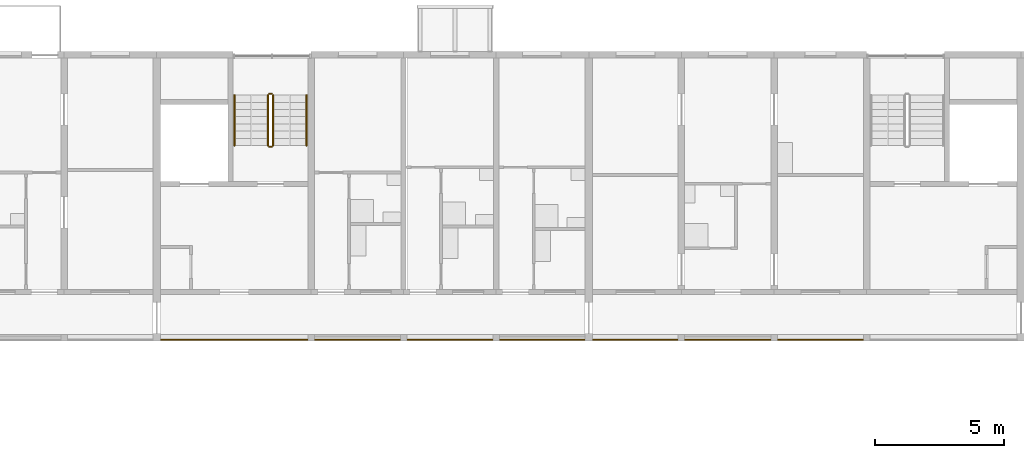
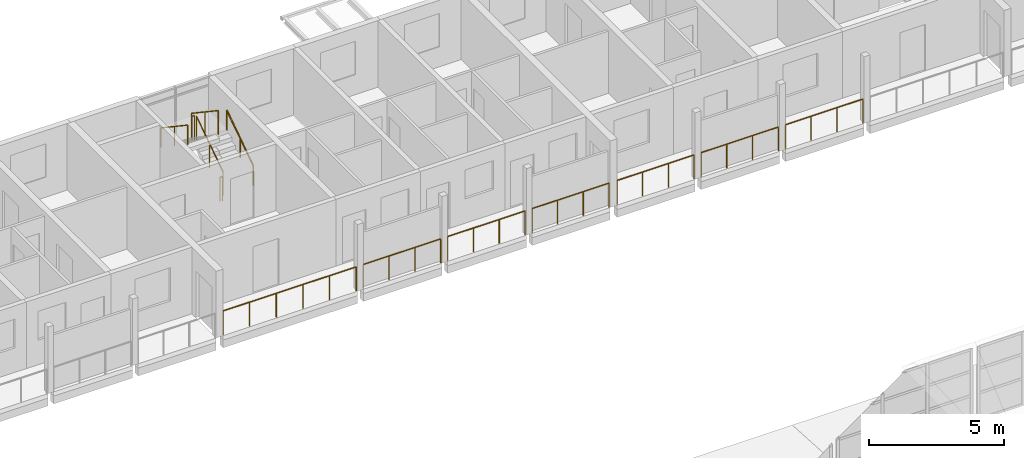
# One storey, part 119 of 122: 13 railings.
"""IFC4 building model written with IfcOpenShell, lengths in metres."""

from ifc_helpers import new_model, si_unit, direction, frame, origin, origin_2d, place, context, subcontext, project, spatial, circle, extrude, material, type_object, element, save


model = new_model("IFC4")

# Units and contexts
model_context = context("Model", 3, precision=1e-05, world=origin(), true_north=direction((0.0, 1.0)))
body_context = subcontext(model_context, "Body", "Model", "MODEL_VIEW")
ifc_project = project(units=[si_unit("LENGTHUNIT", "METRE"), si_unit("AREAUNIT", "SQUARE_METRE"), si_unit("VOLUMEUNIT", "CUBIC_METRE"), si_unit("PLANEANGLEUNIT", "RADIAN"), si_unit("MASSUNIT", "GRAM", prefix="KILO")], contexts=[model_context])

# Site, building, storey
site_placement = place(None, origin())
site = spatial("IfcSite", under=ifc_project, at=site_placement, CompositionType="ELEMENT")
building_placement = place(site_placement, origin())
building = spatial("IfcBuilding", under=site, at=building_placement, Name="Ridgestep Commons", CompositionType="ELEMENT")
storey_placement = place(building_placement, frame((0.0, 0.0, 3.0)))
storey = spatial("IfcBuildingStorey", under=building, at=storey_placement, Name="L01", CompositionType="ELEMENT", Elevation=3.0)

# Railings
ifc_material_1 = material(Name="Structural steel S355JR", Category="steel")
railing_type_1 = type_object("IfcRailingType", Name="Guard 1100", PredefinedType="GUARDRAIL", material=ifc_material_1)
railing_1_placement = place(storey_placement, frame((197.37109375, 66.050048828125, 0.0)))
element("IfcRailing", 1, at=railing_1_placement, inside=storey, type_object=railing_type_1, Name="Gallery guard C 01.13", PredefinedType="GUARDRAIL", context=body_context, shape_type="SweptSolid", body=[
    extrude(circle(Radius=0.02392578125, at=origin_2d()), frame((0.0, 0.0, 1.076171875), z_axis=(1.0, 0.0, 0.0), x_axis=(0.0, 1.0, 0.0)), (0.0, 0.0, 1.0), 5.682861328125),
    extrude(circle(Radius=0.02099609375, at=origin_2d()), origin(), (0.0, 0.0, 1.0), 1.052001953125),
    extrude(circle(Radius=0.02099609375, at=origin_2d()), frame((1.136474609375, 0.0, 0.0)), (0.0, 0.0, 1.0), 1.052001953125),
    extrude(circle(Radius=0.02099609375, at=origin_2d()), frame((2.273193359375, 0.0, 0.0)), (0.0, 0.0, 1.0), 1.052001953125),
    extrude(circle(Radius=0.02099609375, at=origin_2d()), frame((3.40966796875, 0.0, 0.0)), (0.0, 0.0, 1.0), 1.052001953125),
    extrude(circle(Radius=0.02099609375, at=origin_2d()), frame((4.54638671875, 0.0, 0.0)), (0.0, 0.0, 1.0), 1.052001953125),
    extrude(circle(Radius=0.02099609375, at=origin_2d()), frame((5.682861328125, 0.0, 0.0)), (0.0, 0.0, 1.0), 1.052001953125),
])
railing_2_placement = place(storey_placement, frame((203.345947265625, 66.050048828125, 0.0)))
element("IfcRailing", 2, at=railing_2_placement, inside=storey, type_object=railing_type_1, Name="Gallery guard C 01.14", PredefinedType="GUARDRAIL", context=body_context, shape_type="SweptSolid", body=[
    extrude(circle(Radius=0.02392578125, at=origin_2d()), frame((0.0, 0.0, 1.076171875), z_axis=(1.0, 0.0, 0.0), x_axis=(0.0, 1.0, 0.0)), (0.0, 0.0, 1.0), 3.30810546875),
    extrude(circle(Radius=0.02099609375, at=origin_2d()), origin(), (0.0, 0.0, 1.0), 1.052001953125),
    extrude(circle(Radius=0.02099609375, at=origin_2d()), frame((1.102783203125, 0.0, 0.0)), (0.0, 0.0, 1.0), 1.052001953125),
    extrude(circle(Radius=0.02099609375, at=origin_2d()), frame((2.205322265625, 0.0, 0.0)), (0.0, 0.0, 1.0), 1.052001953125),
    extrude(circle(Radius=0.02099609375, at=origin_2d()), frame((3.30810546875, 0.0, 0.0)), (0.0, 0.0, 1.0), 1.052001953125),
])
railing_3_placement = place(storey_placement, frame((206.946044921875, 66.050048828125, 0.0)))
element("IfcRailing", 3, at=railing_3_placement, inside=storey, type_object=railing_type_1, Name="Gallery guard C 01.15", PredefinedType="GUARDRAIL", context=body_context, shape_type="SweptSolid", body=[
    extrude(circle(Radius=0.02392578125, at=origin_2d()), frame((0.0, 0.0, 1.076171875), z_axis=(1.0, 0.0, 0.0), x_axis=(0.0, 1.0, 0.0)), (0.0, 0.0, 1.0), 3.307861328125),
    extrude(circle(Radius=0.02099609375, at=origin_2d()), origin(), (0.0, 0.0, 1.0), 1.052001953125),
    extrude(circle(Radius=0.02099609375, at=origin_2d()), frame((1.1025390625, 0.0, 0.0)), (0.0, 0.0, 1.0), 1.052001953125),
    extrude(circle(Radius=0.02099609375, at=origin_2d()), frame((2.205322265625, 0.0, 0.0)), (0.0, 0.0, 1.0), 1.052001953125),
    extrude(circle(Radius=0.02099609375, at=origin_2d()), frame((3.307861328125, 0.0, 0.0)), (0.0, 0.0, 1.0), 1.052001953125),
])
for number, where, name in (
    (4, (210.5458984375, 66.050048828125, 0.0), "Gallery guard C 01.16"),
    (5, (214.1708984375, 66.050048828125, 0.0), "Gallery guard C 01.17"),
):
    element("IfcRailing", number, at=place(storey_placement, frame(where)), inside=storey, type_object=railing_type_1, Name=name, PredefinedType="GUARDRAIL", context=body_context, shape_type="SweptSolid", body=[
        extrude(circle(Radius=0.02392578125, at=origin_2d()), frame((0.0, 0.0, 1.076171875), z_axis=(1.0, 0.0, 0.0), x_axis=(0.0, 1.0, 0.0)), (0.0, 0.0, 1.0), 3.283203125),
        extrude(circle(Radius=0.02099609375, at=origin_2d()), origin(), (0.0, 0.0, 1.0), 1.052001953125),
        extrude(circle(Radius=0.02099609375, at=origin_2d()), frame((1.094482421875, 0.0, 0.0)), (0.0, 0.0, 1.0), 1.052001953125),
        extrude(circle(Radius=0.02099609375, at=origin_2d()), frame((2.188720703125, 0.0, 0.0)), (0.0, 0.0, 1.0), 1.052001953125),
        extrude(circle(Radius=0.02099609375, at=origin_2d()), frame((3.283203125, 0.0, 0.0)), (0.0, 0.0, 1.0), 1.052001953125),
    ])
railing_4_placement = place(storey_placement, frame((217.74609375, 66.050048828125, 0.0)))
element("IfcRailing", 6, at=railing_4_placement, inside=storey, type_object=railing_type_1, Name="Gallery guard C 01.18", PredefinedType="GUARDRAIL", context=body_context, shape_type="SweptSolid", body=[
    extrude(circle(Radius=0.02392578125, at=origin_2d()), frame((0.0, 0.0, 1.076171875), z_axis=(1.0, 0.0, 0.0), x_axis=(0.0, 1.0, 0.0)), (0.0, 0.0, 1.0), 3.307861328125),
    extrude(circle(Radius=0.02099609375, at=origin_2d()), origin(), (0.0, 0.0, 1.0), 1.052001953125),
    extrude(circle(Radius=0.02099609375, at=origin_2d()), frame((1.1025390625, 0.0, 0.0)), (0.0, 0.0, 1.0), 1.052001953125),
    extrude(circle(Radius=0.02099609375, at=origin_2d()), frame((2.205322265625, 0.0, 0.0)), (0.0, 0.0, 1.0), 1.052001953125),
    extrude(circle(Radius=0.02099609375, at=origin_2d()), frame((3.307861328125, 0.0, 0.0)), (0.0, 0.0, 1.0), 1.052001953125),
])
railing_5_placement = place(storey_placement, frame((221.345947265625, 66.050048828125, 0.0)))
element("IfcRailing", 7, at=railing_5_placement, inside=storey, type_object=railing_type_1, Name="Gallery guard C 01.19", PredefinedType="GUARDRAIL", context=body_context, shape_type="SweptSolid", body=[
    extrude(circle(Radius=0.02392578125, at=origin_2d()), frame((0.0, 0.0, 1.076171875), z_axis=(1.0, 0.0, 0.0), x_axis=(0.0, 1.0, 0.0)), (0.0, 0.0, 1.0), 3.30810546875),
    extrude(circle(Radius=0.02099609375, at=origin_2d()), origin(), (0.0, 0.0, 1.0), 1.052001953125),
    extrude(circle(Radius=0.02099609375, at=origin_2d()), frame((1.102783203125, 0.0, 0.0)), (0.0, 0.0, 1.0), 1.052001953125),
    extrude(circle(Radius=0.02099609375, at=origin_2d()), frame((2.205322265625, 0.0, 0.0)), (0.0, 0.0, 1.0), 1.052001953125),
    extrude(circle(Radius=0.02099609375, at=origin_2d()), frame((3.30810546875, 0.0, 0.0)), (0.0, 0.0, 1.0), 1.052001953125),
])
ifc_material_2 = material(Name="Structural steel S355JR", Category="steel")
railing_type_2 = type_object("IfcRailingType", Name="Stair guard 1100", PredefinedType="GUARDRAIL", material=ifc_material_2)
railing_6_placement = place(storey_placement, frame((201.72509765625, 73.60009765625, 0.1875)))
element("IfcRailing", 8, at=railing_6_placement, inside=storey, type_object=railing_type_2, Name="L01 C4C stair guard 1", PredefinedType="GUARDRAIL", context=body_context, shape_type="SweptSolid", body=[
    extrude(circle(Radius=0.02392578125, at=origin_2d()), frame((0.0, 0.0, 1.076171875), z_axis=(0.0, 0.830902050051, 0.556418712142), x_axis=(-1.0, 0.0, 0.0)), (0.0, 0.0, 1.0), 2.35888671875),
    extrude(circle(Radius=0.02099609375, at=origin_2d()), origin(), (0.0, 0.0, 1.0), 1.052001953125),
    extrude(circle(Radius=0.02099609375, at=origin_2d()), frame((0.0, 0.97998046875, 0.65625)), (0.0, 0.0, 1.0), 1.052001953125),
    extrude(circle(Radius=0.02099609375, at=origin_2d()), frame((0.0, 1.9599609375, 1.3125)), (0.0, 0.0, 1.0), 1.052001953125),
])
railing_7_placement = place(storey_placement, frame((201.675048828125, 75.610107421875, 1.5)))
element("IfcRailing", 9, at=railing_7_placement, inside=storey, type_object=railing_type_2, Name="L01 C4C stair guard 2", PredefinedType="GUARDRAIL", context=body_context, shape_type="SweptSolid", body=[
    extrude(circle(Radius=0.02392578125, at=origin_2d()), frame((0.0, 0.0, 1.076171875), z_axis=(-1.0, 0.0, 0.0), x_axis=(0.0, -1.0, 0.0)), (0.0, 0.0, 1.0), 0.10009765625),
    extrude(circle(Radius=0.02099609375, at=origin_2d()), origin(), (0.0, 0.0, 1.0), 1.052001953125),
    extrude(circle(Radius=0.02099609375, at=origin_2d()), frame((-0.10009765625, 0.0, 0.0)), (0.0, 0.0, 1.0), 1.052001953125),
])
railing_8_placement = place(storey_placement, frame((201.52490234375, 75.56005859375, 1.6875)))
element("IfcRailing", 10, at=railing_8_placement, inside=storey, type_object=railing_type_2, Name="L01 C4C stair guard 3", PredefinedType="GUARDRAIL", context=body_context, shape_type="SweptSolid", body=[
    extrude(circle(Radius=0.02392578125, at=origin_2d()), frame((0.0, 0.0, 1.076171875), z_axis=(0.0, -0.830902050051, 0.556418712142), x_axis=(1.0, 0.0, 0.0)), (0.0, 0.0, 1.0), 2.35888671875),
    extrude(circle(Radius=0.02099609375, at=origin_2d()), origin(), (0.0, 0.0, 1.0), 1.052001953125),
    extrude(circle(Radius=0.02099609375, at=origin_2d()), frame((0.0, -0.97998046875, 0.65625)), (0.0, 0.0, 1.0), 1.052001953125),
    extrude(circle(Radius=0.02099609375, at=origin_2d()), frame((0.0, -1.9599609375, 1.3125)), (0.0, 0.0, 1.0), 1.052001953125),
])
railing_9_placement = place(storey_placement, frame((201.675048828125, 73.550048828125, 0.0)))
element("IfcRailing", 11, at=railing_9_placement, inside=storey, type_object=railing_type_2, Name="L01 C4C stair guard 4", PredefinedType="GUARDRAIL", context=body_context, shape_type="SweptSolid", body=[
    extrude(circle(Radius=0.02392578125, at=origin_2d()), frame((0.0, 0.0, 1.076171875), z_axis=(-1.0, 0.0, 0.0), x_axis=(0.0, -1.0, 0.0)), (0.0, 0.0, 1.0), 0.10009765625),
    extrude(circle(Radius=0.02099609375, at=origin_2d()), origin(), (0.0, 0.0, 1.0), 1.052001953125),
    extrude(circle(Radius=0.02099609375, at=origin_2d()), frame((-0.10009765625, 0.0, 0.0)), (0.0, 0.0, 1.0), 1.052001953125),
])
ifc_material_3 = material(Name="Structural steel S355JR", Category="steel")
railing_type_3 = type_object("IfcRailingType", Name="Stair handrail 900", PredefinedType="HANDRAIL", material=ifc_material_3)
railing_10_placement = place(storey_placement, frame((203.02490234375, 73.60009765625, 0.1875)))
element("IfcRailing", 12, at=railing_10_placement, inside=storey, type_object=railing_type_3, Name="L01 C4C stair handrail 1", PredefinedType="HANDRAIL", context=body_context, shape_type="SweptSolid", body=[
    extrude(circle(Radius=0.02392578125, at=origin_2d()), frame((0.0, 0.0, 0.8759765625), z_axis=(0.0, 0.830902050051, 0.556418712142), x_axis=(-1.0, 0.0, 0.0)), (0.0, 0.0, 1.0), 2.35888671875),
    extrude(circle(Radius=0.02099609375, at=origin_2d()), origin(), (0.0, 0.0, 1.0), 0.851806640625),
    extrude(circle(Radius=0.02099609375, at=origin_2d()), frame((0.0, 0.97998046875, 0.65625)), (0.0, 0.0, 1.0), 0.851806640625),
    extrude(circle(Radius=0.02099609375, at=origin_2d()), frame((0.0, 1.9599609375, 1.3125)), (0.0, 0.0, 1.0), 0.851806640625),
])
railing_11_placement = place(storey_placement, frame((200.22509765625, 75.56005859375, 1.6875)))
element("IfcRailing", 13, at=railing_11_placement, inside=storey, type_object=railing_type_3, Name="L01 C4C stair handrail 2", PredefinedType="HANDRAIL", context=body_context, shape_type="SweptSolid", body=[
    extrude(circle(Radius=0.02392578125, at=origin_2d()), frame((0.0, 0.0, 0.8759765625), z_axis=(0.0, -0.830902050051, 0.556418712142), x_axis=(1.0, 0.0, 0.0)), (0.0, 0.0, 1.0), 2.35888671875),
    extrude(circle(Radius=0.02099609375, at=origin_2d()), origin(), (0.0, 0.0, 1.0), 0.851806640625),
    extrude(circle(Radius=0.02099609375, at=origin_2d()), frame((0.0, -0.97998046875, 0.65625)), (0.0, 0.0, 1.0), 0.851806640625),
    extrude(circle(Radius=0.02099609375, at=origin_2d()), frame((0.0, -1.9599609375, 1.3125)), (0.0, 0.0, 1.0), 0.851806640625),
])

save(model, "model.ifc")
